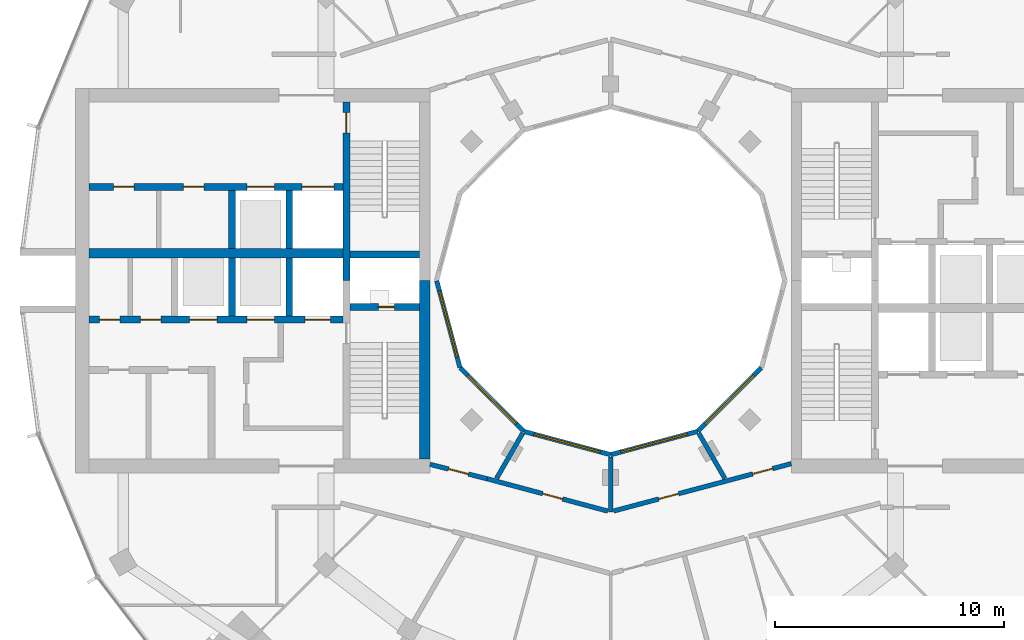
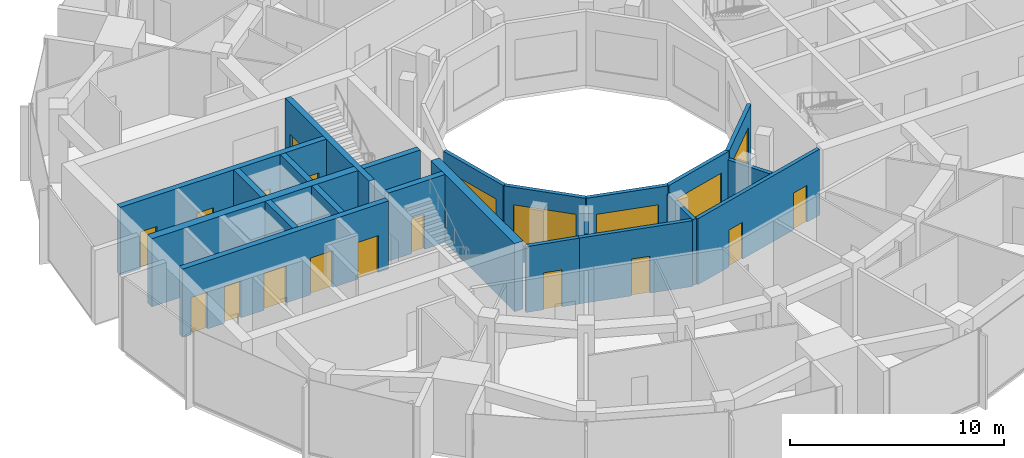
# One storey, part 9 of 15: 22 walls, 15 doors, 5 windows, 20 openings.
"""IFC4 building model written with IfcOpenShell, lengths in metres."""

from ifc_helpers import new_model, si_unit, direction, frame, frame_2d, origin, place, context, subcontext, project, spatial, rectangle, extrude, material, layer, layer_set, type_object, element, fill, save


model = new_model("IFC4")

# Units and contexts
model_context = context("Model", 3, precision=1e-05, world=origin(), true_north=direction((0.0, 1.0)))
body_context = subcontext(model_context, "Body", "Model", "MODEL_VIEW")
ifc_project = project(units=[si_unit("LENGTHUNIT", "METRE"), si_unit("AREAUNIT", "SQUARE_METRE"), si_unit("VOLUMEUNIT", "CUBIC_METRE"), si_unit("PLANEANGLEUNIT", "RADIAN"), si_unit("MASSUNIT", "GRAM", prefix="KILO")], contexts=[model_context])

# Site, building, storey
site_placement = place(None, origin())
site = spatial("IfcSite", under=ifc_project, at=site_placement, CompositionType="ELEMENT")
building_placement = place(site_placement, origin())
building = spatial("IfcBuilding", under=site, at=building_placement, Name="Torre Brocal", CompositionType="ELEMENT")
storey_placement = place(building_placement, frame((0.0, 0.0, 241.5)))
storey = spatial("IfcBuildingStorey", under=building, at=storey_placement, Name="L55", CompositionType="ELEMENT", Elevation=241.5)

# Wall, opening, door
ifc_material_1 = material(Name="Concrete C60", Category="concrete")
ifc_layer_1 = layer(ifc_material_1, 0.300048828125)
ifc_layer_set_1 = layer_set([ifc_layer_1], Name="Concrete C60")
wall_type_1 = type_object("IfcWallType", Name="CORE WALL 300 C60", PredefinedType="SHEAR", material=ifc_layer_set_1)
wall_1_placement = place(storey_placement, frame((68.449951171875, 82.800048828125, 0.0), z_axis=(0.0, 0.0, 1.0), x_axis=(0.0, -1.0, 0.0)))
wall_1 = element("IfcWall", 1, at=wall_1_placement, inside=storey, type_object=wall_type_1, Name="Wall CW300-60", PredefinedType="SHEAR", context=body_context, shape_type="SweptSolid", body=[
    extrude(rectangle(XDim=7.800048828125, YDim=0.300048828125, at=frame_2d((3.89990234375, 0.0))), origin(), (0.0, 0.0, 1.0), 3.8798828125),
])
opening_1_placement = place(wall_1_placement, frame((0.449951171875, 0.0, 0.0)))
opening_1 = element("IfcOpeningElement", 2, at=opening_1_placement, cuts=wall_1, Name="Opening W-D03", PredefinedType="OPENING", context=body_context, shape_type="SweptSolid", body=[
    extrude(rectangle(XDim=0.89990234375, YDim=2.10009765625, at=frame_2d((0.449951171875, 1.050048828125))), frame((0.0, 0.159912109375, 0.0), z_axis=(0.0, -1.0, 0.0), x_axis=(1.0, 0.0, 0.0)), (0.0, 0.0, 1.0), 0.320068359375),
])
ifc_material_2 = material(Name="Steel A653", Category="steel")
door_type_1 = type_object("IfcDoorType", Name="STAIR DOOR FD120 900X2100", OperationType="SINGLE_SWING_RIGHT", PredefinedType="DOOR", material=ifc_material_2)
door_1_placement = place(opening_1_placement, origin())
door_1 = element("IfcDoor", 3, at=door_1_placement, inside=storey, type_object=door_type_1, Name="Door W-D03", OperationType="SINGLE_SWING_LEFT", OverallHeight=2.10009765625, OverallWidth=0.89990234375, PredefinedType="DOOR", context=body_context, shape_type="SweptSolid", body=[
    extrude(rectangle(XDim=0.89990234375, YDim=2.10009765625, at=frame_2d((0.449951171875, 1.050048828125))), frame((0.0, 0.02490234375, 0.0), z_axis=(0.0, -1.0, 0.0), x_axis=(1.0, 0.0, 0.0)), (0.0, 0.0, 1.0), 0.050048828125),
])
fill(opening_1, door_1)

wall_2_placement = place(storey_placement, frame((71.64990234375, 73.85009765625, 0.0), z_axis=(0.0, 0.0, 1.0), x_axis=(-1.0, 0.0, 0.0)))
wall_2 = element("IfcWall", 4, at=wall_2_placement, inside=storey, type_object=wall_type_1, Name="Wall CW300-60", PredefinedType="SHEAR", context=body_context, shape_type="SweptSolid", body=[
    extrude(rectangle(XDim=3.0498046875, YDim=0.300048828125, at=frame_2d((1.52490234375, 0.0))), origin(), (0.0, 0.0, 1.0), 3.8798828125),
])
opening_2_placement = place(wall_2_placement, frame((1.10009765625, 0.0, 0.0)))
opening_2 = element("IfcOpeningElement", 5, at=opening_2_placement, cuts=wall_2, Name="Opening W-D01", PredefinedType="OPENING", context=body_context, shape_type="SweptSolid", body=[
    extrude(rectangle(XDim=0.699951171875, YDim=2.0, at=frame_2d((0.35009765625, 1.0))), frame((0.0, 0.159912109375, 0.0), z_axis=(0.0, -1.0, 0.0), x_axis=(1.0, 0.0, 0.0)), (0.0, 0.0, 1.0), 0.320068359375),
])
ifc_material_3 = material(Name="Steel A653", Category="steel")
door_type_2 = type_object("IfcDoorType", Name="RISER DOOR FD120 700X2000", OperationType="SINGLE_SWING_LEFT", PredefinedType="DOOR", material=ifc_material_3)
door_2_placement = place(opening_2_placement, frame((0.699951171875, 0.0, 0.0), z_axis=(0.0, 0.0, 1.0), x_axis=(-1.0, 0.0, 0.0)))
door_2 = element("IfcDoor", 6, at=door_2_placement, inside=storey, type_object=door_type_2, Name="Door W-D01", OperationType="SINGLE_SWING_RIGHT", OverallHeight=2.0, OverallWidth=0.699951171875, PredefinedType="DOOR", context=body_context, shape_type="SweptSolid", body=[
    extrude(rectangle(XDim=0.699951171875, YDim=2.0, at=frame_2d((0.35009765625, 1.0))), frame((0.0, 0.02490234375, 0.0), z_axis=(0.0, -1.0, 0.0), x_axis=(1.0, 0.0, 0.0)), (0.0, 0.0, 1.0), 0.050048828125),
])
fill(opening_2, door_2)

# Wall
wall_3_placement = place(storey_placement, frame((71.64990234375, 76.14990234375, 0.0), z_axis=(0.0, 0.0, 1.0), x_axis=(-1.0, 0.0, 0.0)))
element("IfcWall", 7, at=wall_3_placement, inside=storey, type_object=wall_type_1, Name="Wall CW300-60", PredefinedType="SHEAR", context=body_context, shape_type="SweptSolid", body=[
    extrude(rectangle(XDim=3.0498046875, YDim=0.300048828125, at=frame_2d((1.52490234375, 0.0))), origin(), (0.0, 0.0, 1.0), 3.8798828125),
])

# Wall, openings, doors
wall_4_placement = place(storey_placement, frame((68.300048828125, 73.300048828125, 0.0), z_axis=(0.0, 0.0, 1.0), x_axis=(-1.0, 0.0, 0.0)))
wall_4 = element("IfcWall", 8, at=wall_4_placement, inside=storey, type_object=wall_type_1, Name="Wall CW300-60", PredefinedType="SHEAR", context=body_context, shape_type="SweptSolid", body=[
    extrude(rectangle(XDim=11.10009765625, YDim=0.300048828125, at=frame_2d((5.550048828125, 0.0))), origin(), (0.0, 0.0, 1.0), 3.8798828125),
])
opening_3_placement = place(wall_4_placement, frame((0.550048828125, 0.0, 0.0)))
opening_3 = element("IfcOpeningElement", 9, at=opening_3_placement, cuts=wall_4, Name="Opening LD", PredefinedType="OPENING", context=body_context, shape_type="SweptSolid", body=[
    extrude(rectangle(XDim=1.10009765625, YDim=2.10009765625, at=frame_2d((0.550048828125, 1.050048828125))), frame((0.0, 0.159912109375, 0.0), z_axis=(0.0, -1.0, 0.0), x_axis=(1.0, 0.0, 0.0)), (0.0, 0.0, 1.0), 0.320068359375),
])
opening_4_placement = place(wall_4_placement, frame((3.0, 0.0, 0.0)))
opening_4 = element("IfcOpeningElement", 10, at=opening_4_placement, cuts=wall_4, Name="Opening LD12", PredefinedType="OPENING", context=body_context, shape_type="SweptSolid", body=[
    extrude(rectangle(XDim=1.199951171875, YDim=2.10009765625, at=frame_2d((0.60009765625, 1.050048828125))), frame((0.0, 0.159912109375, 0.0), z_axis=(0.0, -1.0, 0.0), x_axis=(1.0, 0.0, 0.0)), (0.0, 0.0, 1.0), 0.320068359375),
])
opening_5_placement = place(wall_4_placement, frame((5.5, 0.0, 0.0)))
opening_5 = element("IfcOpeningElement", 11, at=opening_5_placement, cuts=wall_4, Name="Opening LD12", PredefinedType="OPENING", context=body_context, shape_type="SweptSolid", body=[
    extrude(rectangle(XDim=1.199951171875, YDim=2.10009765625, at=frame_2d((0.60009765625, 1.050048828125))), frame((0.0, 0.159912109375, 0.0), z_axis=(0.0, -1.0, 0.0), x_axis=(1.0, 0.0, 0.0)), (0.0, 0.0, 1.0), 0.320068359375),
])
opening_6_placement = place(wall_4_placement, frame((7.949951171875, 0.0, 0.0)))
opening_6 = element("IfcOpeningElement", 12, at=opening_6_placement, cuts=wall_4, Name="Opening W-D04", PredefinedType="OPENING", context=body_context, shape_type="SweptSolid", body=[
    extrude(rectangle(XDim=0.89990234375, YDim=2.10009765625, at=frame_2d((0.449951171875, 1.050048828125))), frame((0.0, 0.159912109375, 0.0), z_axis=(0.0, -1.0, 0.0), x_axis=(1.0, 0.0, 0.0)), (0.0, 0.0, 1.0), 0.320068359375),
])
opening_7_placement = place(wall_4_placement, frame((9.75, 0.0, 0.0)))
opening_7 = element("IfcOpeningElement", 13, at=opening_7_placement, cuts=wall_4, Name="Opening W-D05", PredefinedType="OPENING", context=body_context, shape_type="SweptSolid", body=[
    extrude(rectangle(XDim=0.89990234375, YDim=2.10009765625, at=frame_2d((0.449951171875, 1.050048828125))), frame((0.0, 0.159912109375, 0.0), z_axis=(0.0, -1.0, 0.0), x_axis=(1.0, 0.0, 0.0)), (0.0, 0.0, 1.0), 0.320068359375),
])
ifc_material_4 = material(Name="Stainless steel AISI 316", Category="steel")
door_type_3 = type_object("IfcDoorType", Name="LIFT LANDING DOOR 1100X2100", OperationType="DOUBLE_DOOR_SLIDING", PredefinedType="DOOR", material=ifc_material_4)
door_3_placement = place(opening_3_placement, origin())
door_3 = element("IfcDoor", 14, at=door_3_placement, inside=storey, type_object=door_type_3, Name="Door LD", OperationType="DOUBLE_DOOR_SLIDING", OverallHeight=2.10009765625, OverallWidth=1.10009765625, PredefinedType="DOOR", context=body_context, shape_type="SweptSolid", body=[
    extrude(rectangle(XDim=1.10009765625, YDim=2.10009765625, at=frame_2d((0.550048828125, 1.050048828125))), frame((0.0, 0.02490234375, 0.0), z_axis=(0.0, -1.0, 0.0), x_axis=(1.0, 0.0, 0.0)), (0.0, 0.0, 1.0), 0.050048828125),
])
fill(opening_3, door_3)
ifc_material_5 = material(Name="Stainless steel AISI 316", Category="steel")
door_type_4 = type_object("IfcDoorType", Name="LIFT LANDING DOOR 1200X2100", OperationType="DOUBLE_DOOR_SLIDING", PredefinedType="DOOR", material=ifc_material_5)
door_4_placement = place(opening_4_placement, origin())
door_4 = element("IfcDoor", 15, at=door_4_placement, inside=storey, type_object=door_type_4, Name="Door LD12", OperationType="DOUBLE_DOOR_SLIDING", OverallHeight=2.10009765625, OverallWidth=1.199951171875, PredefinedType="DOOR", context=body_context, shape_type="SweptSolid", body=[
    extrude(rectangle(XDim=1.199951171875, YDim=2.10009765625, at=frame_2d((0.60009765625, 1.050048828125))), frame((0.0, 0.02490234375, 0.0), z_axis=(0.0, -1.0, 0.0), x_axis=(1.0, 0.0, 0.0)), (0.0, 0.0, 1.0), 0.050048828125),
])
fill(opening_4, door_4)
door_5_placement = place(opening_5_placement, origin())
door_5 = element("IfcDoor", 16, at=door_5_placement, inside=storey, type_object=door_type_4, Name="Door LD12", OperationType="DOUBLE_DOOR_SLIDING", OverallHeight=2.10009765625, OverallWidth=1.199951171875, PredefinedType="DOOR", context=body_context, shape_type="SweptSolid", body=[
    extrude(rectangle(XDim=1.199951171875, YDim=2.10009765625, at=frame_2d((0.60009765625, 1.050048828125))), frame((0.0, 0.02490234375, 0.0), z_axis=(0.0, -1.0, 0.0), x_axis=(1.0, 0.0, 0.0)), (0.0, 0.0, 1.0), 0.050048828125),
])
fill(opening_5, door_5)
ifc_material_6 = material(Name="Steel A653", Category="steel")
door_type_5 = type_object("IfcDoorType", Name="ROOM DOOR FD30S 900X2100", OperationType="SINGLE_SWING_LEFT", PredefinedType="DOOR", material=ifc_material_6)
door_6_placement = place(opening_6_placement, frame((0.89990234375, 0.0, 0.0), z_axis=(0.0, 0.0, 1.0), x_axis=(-1.0, 0.0, 0.0)))
door_6 = element("IfcDoor", 17, at=door_6_placement, inside=storey, type_object=door_type_5, Name="Door W-D04", OperationType="SINGLE_SWING_LEFT", OverallHeight=2.10009765625, OverallWidth=0.89990234375, PredefinedType="DOOR", context=body_context, shape_type="SweptSolid", body=[
    extrude(rectangle(XDim=0.89990234375, YDim=2.10009765625, at=frame_2d((0.449951171875, 1.050048828125))), frame((0.0, 0.02490234375, 0.0), z_axis=(0.0, -1.0, 0.0), x_axis=(1.0, 0.0, 0.0)), (0.0, 0.0, 1.0), 0.050048828125),
])
fill(opening_6, door_6)
door_7_placement = place(opening_7_placement, frame((0.89990234375, 0.0, 0.0), z_axis=(0.0, 0.0, 1.0), x_axis=(-1.0, 0.0, 0.0)))
door_7 = element("IfcDoor", 18, at=door_7_placement, inside=storey, type_object=door_type_5, Name="Door W-D05", OperationType="SINGLE_SWING_RIGHT", OverallHeight=2.10009765625, OverallWidth=0.89990234375, PredefinedType="DOOR", context=body_context, shape_type="SweptSolid", body=[
    extrude(rectangle(XDim=0.89990234375, YDim=2.10009765625, at=frame_2d((0.449951171875, 1.050048828125))), frame((0.0, 0.02490234375, 0.0), z_axis=(0.0, -1.0, 0.0), x_axis=(1.0, 0.0, 0.0)), (0.0, 0.0, 1.0), 0.050048828125),
])
fill(opening_7, door_7)

wall_5_placement = place(storey_placement, frame((68.300048828125, 79.10009765625, 0.0), z_axis=(0.0, 0.0, 1.0), x_axis=(-1.0, 0.0, 0.0)))
wall_5 = element("IfcWall", 19, at=wall_5_placement, inside=storey, type_object=wall_type_1, Name="Wall CW300-60", PredefinedType="SHEAR", context=body_context, shape_type="SweptSolid", body=[
    extrude(rectangle(XDim=11.10009765625, YDim=0.300048828125, at=frame_2d((5.550048828125, 0.0))), origin(), (0.0, 0.0, 1.0), 3.8798828125),
])
opening_8_placement = place(wall_5_placement, frame((0.39990234375, 0.0, 0.0)))
opening_8 = element("IfcOpeningElement", 20, at=opening_8_placement, cuts=wall_5, Name="Opening LD14", PredefinedType="OPENING", context=body_context, shape_type="SweptSolid", body=[
    extrude(rectangle(XDim=1.39990234375, YDim=2.10009765625, at=frame_2d((0.699951171875, 1.050048828125))), frame((0.0, 0.159912109375, 0.0), z_axis=(0.0, -1.0, 0.0), x_axis=(1.0, 0.0, 0.0)), (0.0, 0.0, 1.0), 0.320068359375),
])
opening_9_placement = place(wall_5_placement, frame((3.0, 0.0, 0.0)))
opening_9 = element("IfcOpeningElement", 21, at=opening_9_placement, cuts=wall_5, Name="Opening LD12", PredefinedType="OPENING", context=body_context, shape_type="SweptSolid", body=[
    extrude(rectangle(XDim=1.199951171875, YDim=2.10009765625, at=frame_2d((0.60009765625, 1.050048828125))), frame((0.0, 0.159912109375, 0.0), z_axis=(0.0, -1.0, 0.0), x_axis=(1.0, 0.0, 0.0)), (0.0, 0.0, 1.0), 0.320068359375),
])
opening_10_placement = place(wall_5_placement, frame((6.074951171875, 0.0, 0.0)))
opening_10 = element("IfcOpeningElement", 22, at=opening_10_placement, cuts=wall_5, Name="Opening W-D06", PredefinedType="OPENING", context=body_context, shape_type="SweptSolid", body=[
    extrude(rectangle(XDim=0.89990234375, YDim=2.10009765625, at=frame_2d((0.449951171875, 1.050048828125))), frame((0.0, 0.159912109375, 0.0), z_axis=(0.0, -1.0, 0.0), x_axis=(1.0, 0.0, 0.0)), (0.0, 0.0, 1.0), 0.320068359375),
])
opening_11_placement = place(wall_5_placement, frame((9.125, 0.0, 0.0)))
opening_11 = element("IfcOpeningElement", 23, at=opening_11_placement, cuts=wall_5, Name="Opening W-D07", PredefinedType="OPENING", context=body_context, shape_type="SweptSolid", body=[
    extrude(rectangle(XDim=0.89990234375, YDim=2.10009765625, at=frame_2d((0.449951171875, 1.050048828125))), frame((0.0, 0.159912109375, 0.0), z_axis=(0.0, -1.0, 0.0), x_axis=(1.0, 0.0, 0.0)), (0.0, 0.0, 1.0), 0.320068359375),
])
door_8_placement = place(opening_9_placement, origin())
door_8 = element("IfcDoor", 24, at=door_8_placement, inside=storey, type_object=door_type_4, Name="Door LD12", OperationType="DOUBLE_DOOR_SLIDING", OverallHeight=2.10009765625, OverallWidth=1.199951171875, PredefinedType="DOOR", context=body_context, shape_type="SweptSolid", body=[
    extrude(rectangle(XDim=1.199951171875, YDim=2.10009765625, at=frame_2d((0.60009765625, 1.050048828125))), frame((0.0, 0.02490234375, 0.0), z_axis=(0.0, -1.0, 0.0), x_axis=(1.0, 0.0, 0.0)), (0.0, 0.0, 1.0), 0.050048828125),
])
fill(opening_9, door_8)
ifc_material_7 = material(Name="Stainless steel AISI 316", Category="steel")
door_type_6 = type_object("IfcDoorType", Name="LIFT LANDING DOOR 1400X2100", OperationType="DOUBLE_DOOR_SLIDING", PredefinedType="DOOR", material=ifc_material_7)
door_9_placement = place(opening_8_placement, origin())
door_9 = element("IfcDoor", 25, at=door_9_placement, inside=storey, type_object=door_type_6, Name="Door LD14", OperationType="DOUBLE_DOOR_SLIDING", OverallHeight=2.10009765625, OverallWidth=1.39990234375, PredefinedType="DOOR", context=body_context, shape_type="SweptSolid", body=[
    extrude(rectangle(XDim=1.39990234375, YDim=2.10009765625, at=frame_2d((0.699951171875, 1.050048828125))), frame((0.0, 0.02490234375, 0.0), z_axis=(0.0, -1.0, 0.0), x_axis=(1.0, 0.0, 0.0)), (0.0, 0.0, 1.0), 0.050048828125),
])
fill(opening_8, door_9)
door_10_placement = place(opening_10_placement, origin())
door_10 = element("IfcDoor", 26, at=door_10_placement, inside=storey, type_object=door_type_5, Name="Door W-D06", OperationType="SINGLE_SWING_RIGHT", OverallHeight=2.10009765625, OverallWidth=0.89990234375, PredefinedType="DOOR", context=body_context, shape_type="SweptSolid", body=[
    extrude(rectangle(XDim=0.89990234375, YDim=2.10009765625, at=frame_2d((0.449951171875, 1.050048828125))), frame((0.0, 0.02490234375, 0.0), z_axis=(0.0, -1.0, 0.0), x_axis=(1.0, 0.0, 0.0)), (0.0, 0.0, 1.0), 0.050048828125),
])
fill(opening_10, door_10)
door_11_placement = place(opening_11_placement, origin())
door_11 = element("IfcDoor", 27, at=door_11_placement, inside=storey, type_object=door_type_5, Name="Door W-D07", OperationType="SINGLE_SWING_LEFT", OverallHeight=2.10009765625, OverallWidth=0.89990234375, PredefinedType="DOOR", context=body_context, shape_type="SweptSolid", body=[
    extrude(rectangle(XDim=0.89990234375, YDim=2.10009765625, at=frame_2d((0.449951171875, 1.050048828125))), frame((0.0, 0.02490234375, 0.0), z_axis=(0.0, -1.0, 0.0), x_axis=(1.0, 0.0, 0.0)), (0.0, 0.0, 1.0), 0.050048828125),
])
fill(opening_11, door_11)

# Walls
for number, where, z_axis, x_axis, name in (
    (28, (65.949951171875, 76.0, 0.0), (0.0, 0.0, 1.0), (0.0, -1.0, 0.0), "Wall CW300-60"),
    (29, (63.449951171875, 76.0, 0.0), (0.0, 0.0, 1.0), (0.0, -1.0, 0.0), "Wall CW300-60"),
    (30, (65.949951171875, 78.949951171875, 0.0), (0.0, 0.0, 1.0), (0.0, -1.0, 0.0), "Wall CW300-60"),
    (31, (63.449951171875, 78.949951171875, 0.0), (0.0, 0.0, 1.0), (0.0, -1.0, 0.0), "Wall CW300-60"),
):
    element("IfcWall", number, at=place(storey_placement, frame(where, z_axis=z_axis, x_axis=x_axis)), inside=storey, type_object=wall_type_1, Name=name, PredefinedType="SHEAR", context=body_context, shape_type="SweptSolid", body=[
        extrude(rectangle(XDim=2.550048828125, YDim=0.300048828125, at=frame_2d((1.27490234375, 0.0))), origin(), (0.0, 0.0, 1.0), 3.8798828125),
    ])
ifc_material_8 = material(Name="Concrete C60", Category="concrete")
ifc_layer_2 = layer(ifc_material_8, 0.39990234375)
ifc_layer_set_2 = layer_set([ifc_layer_2], Name="Concrete C60")
wall_type_2 = type_object("IfcWallType", Name="CORE WALL 400 C60", PredefinedType="SHEAR", material=ifc_layer_set_2)
wall_6_placement = place(storey_placement, frame((68.300048828125, 76.199951171875, 0.0), z_axis=(0.0, 0.0, 1.0), x_axis=(-1.0, 0.0, 0.0)))
element("IfcWall", 32, at=wall_6_placement, inside=storey, type_object=wall_type_2, Name="Wall CW400-60", PredefinedType="SHEAR", context=body_context, shape_type="SweptSolid", body=[
    extrude(rectangle(XDim=11.10009765625, YDim=0.39990234375, at=frame_2d((5.550048828125, 0.0))), origin(), (0.0, 0.0, 1.0), 3.8798828125),
])
ifc_material_9 = material(Name="Concrete C60", Category="concrete")
ifc_layer_3 = layer(ifc_material_9, 0.449951171875)
ifc_layer_set_3 = layer_set([ifc_layer_3], Name="Concrete C60")
wall_type_3 = type_object("IfcWallType", Name="CORE WALL 450 C60", PredefinedType="SHEAR", material=ifc_layer_set_3)
wall_7_placement = place(storey_placement, frame((71.875, 75.0, 0.0), z_axis=(0.0, 0.0, 1.0), x_axis=(0.0, -1.0, 0.0)))
element("IfcWall", 33, at=wall_7_placement, inside=storey, type_object=wall_type_3, Name="Wall CW450-60", PredefinedType="SHEAR", context=body_context, shape_type="SweptSolid", body=[
    extrude(rectangle(XDim=7.800048828125, YDim=0.449951171875, at=frame_2d((3.89990234375, 0.0))), origin(), (0.0, 0.0, 1.0), 3.8798828125),
])

# Wall, opening, door
ifc_material_10 = material(Name="Gypsum board", Category="Gypsum")
ifc_layer_4 = layer(ifc_material_10, 0.199951171875)
ifc_layer_set_4 = layer_set([ifc_layer_4], Name="Gypsum board")
wall_type_4 = type_object("IfcWallType", Name="PARTITION 200 EI60", PredefinedType="PARTITIONING", material=ifc_layer_set_4)
wall_8_placement = place(storey_placement, frame((72.10009765625, 66.97509765625, 0.0), z_axis=(0.0, 0.0, 1.0), x_axis=(0.969471314457, -0.245204752086, 0.0)))
wall_8 = element("IfcWall", 34, at=wall_8_placement, inside=storey, type_object=wall_type_4, Name="CORRIDOR WALL", PredefinedType="PARTITIONING", context=body_context, shape_type="SweptSolid", body=[
    extrude(rectangle(XDim=2.581787109375, YDim=0.199951171875, at=frame_2d((1.291015625, 0.0))), origin(), (0.0, 0.0, 1.0), 3.75),
])
opening_12_placement = place(wall_8_placement, frame((0.8408203125, 0.0, 0.0)))
opening_12 = element("IfcOpeningElement", 35, at=opening_12_placement, cuts=wall_8, Name="Opening B03-D39", PredefinedType="OPENING", context=body_context, shape_type="SweptSolid", body=[
    extrude(rectangle(XDim=0.89990234375, YDim=2.10009765625, at=frame_2d((0.449951171875, 1.050048828125))), frame((0.0, 0.10986328125, 0.0), z_axis=(0.0, -1.0, 0.0), x_axis=(1.0, 0.0, 0.0)), (0.0, 0.0, 1.0), 0.219970703125),
])
ifc_material_11 = material(Name="Timber", Category="wood")
door_type_7 = type_object("IfcDoorType", Name="ROOM DOOR 900X2100", OperationType="SINGLE_SWING_LEFT", PredefinedType="DOOR", material=ifc_material_11)
door_12_placement = place(opening_12_placement, origin())
door_12 = element("IfcDoor", 36, at=door_12_placement, inside=storey, type_object=door_type_7, Name="B03-D39", OperationType="SINGLE_SWING_LEFT", OverallHeight=2.10009765625, OverallWidth=0.89990234375, PredefinedType="DOOR", context=body_context, shape_type="SweptSolid", body=[
    extrude(rectangle(XDim=0.89990234375, YDim=2.10009765625, at=frame_2d((0.449951171875, 1.050048828125))), frame((0.0, 0.02490234375, 0.0), z_axis=(0.0, -1.0, 0.0), x_axis=(1.0, 0.0, 0.0)), (0.0, 0.0, 1.0), 0.050048828125),
])
fill(opening_12, door_12)

wall_9_placement = place(storey_placement, frame((74.60302734375, 66.342041015625, 0.0), z_axis=(0.0, 0.0, 1.0), x_axis=(0.965920893652, -0.258837453254, 0.0)))
wall_9 = element("IfcWall", 37, at=wall_9_placement, inside=storey, type_object=wall_type_4, Name="CORRIDOR WALL", PredefinedType="PARTITIONING", context=body_context, shape_type="SweptSolid", body=[
    extrude(rectangle(XDim=5.45751953125, YDim=0.199951171875, at=frame_2d((2.728759765625, 0.0))), origin(), (0.0, 0.0, 1.0), 3.75),
])
opening_13_placement = place(wall_9_placement, frame((2.512451171875, 0.0, 0.0)))
opening_13 = element("IfcOpeningElement", 38, at=opening_13_placement, cuts=wall_9, Name="Opening B03-D38", PredefinedType="OPENING", context=body_context, shape_type="SweptSolid", body=[
    extrude(rectangle(XDim=0.89990234375, YDim=2.10009765625, at=frame_2d((0.449951171875, 1.050048828125))), frame((0.0, 0.10986328125, 0.0), z_axis=(0.0, -1.0, 0.0), x_axis=(1.0, 0.0, 0.0)), (0.0, 0.0, 1.0), 0.219970703125),
])
door_13_placement = place(opening_13_placement, origin())
door_13 = element("IfcDoor", 39, at=door_13_placement, inside=storey, type_object=door_type_7, Name="B03-D38", OperationType="SINGLE_SWING_LEFT", OverallHeight=2.10009765625, OverallWidth=0.89990234375, PredefinedType="DOOR", context=body_context, shape_type="SweptSolid", body=[
    extrude(rectangle(XDim=0.89990234375, YDim=2.10009765625, at=frame_2d((0.449951171875, 1.050048828125))), frame((0.0, 0.02490234375, 0.0), z_axis=(0.0, -1.0, 0.0), x_axis=(1.0, 0.0, 0.0)), (0.0, 0.0, 1.0), 0.050048828125),
])
fill(opening_13, door_13)

# Wall
wall_10_placement = place(storey_placement, frame((75.013916015625, 66.362060546875, 0.0), z_axis=(0.0, 0.0, 1.0), x_axis=(0.500097042406, 0.865969369075, 0.0)))
element("IfcWall", 40, at=wall_10_placement, inside=storey, type_object=wall_type_4, Name="SERVICE ROOM WALL", PredefinedType="PARTITIONING", context=body_context, shape_type="SweptSolid", body=[
    extrude(rectangle(XDim=2.275390625, YDim=0.199951171875, at=frame_2d((1.1376953125, 0.0))), origin(), (0.0, 0.0, 1.0), 3.75),
])

# Wall, openings, doors
wall_11_placement = place(storey_placement, frame((80.125, 64.931640625, 0.0), z_axis=(0.0, 0.0, 1.0), x_axis=(0.966236955806, 0.257655089674, 0.0)))
wall_11 = element("IfcWall", 41, at=wall_11_placement, inside=storey, type_object=wall_type_4, Name="CORRIDOR WALL", PredefinedType="PARTITIONING", context=body_context, shape_type="SweptSolid", body=[
    extrude(rectangle(XDim=8.0390625, YDim=0.199951171875, at=frame_2d((4.01953125, 0.0))), origin(), (0.0, 0.0, 1.0), 3.75),
])
opening_14_placement = place(wall_11_placement, frame((6.298095703125, 0.0, 0.0)))
opening_14 = element("IfcOpeningElement", 42, at=opening_14_placement, cuts=wall_11, Name="Opening B03-D36", PredefinedType="OPENING", context=body_context, shape_type="SweptSolid", body=[
    extrude(rectangle(XDim=0.89990234375, YDim=2.10009765625, at=frame_2d((0.449951171875, 1.050048828125))), frame((0.0, 0.10986328125, 0.0), z_axis=(0.0, -1.0, 0.0), x_axis=(1.0, 0.0, 0.0)), (0.0, 0.0, 1.0), 0.219970703125),
])
opening_15_placement = place(wall_11_placement, frame((2.044921875, 0.0, 0.0)))
opening_15 = element("IfcOpeningElement", 43, at=opening_15_placement, cuts=wall_11, Name="Opening B03-D37", PredefinedType="OPENING", context=body_context, shape_type="SweptSolid", body=[
    extrude(rectangle(XDim=0.89990234375, YDim=2.10009765625, at=frame_2d((0.449951171875, 1.050048828125))), frame((0.0, 0.10986328125, 0.0), z_axis=(0.0, -1.0, 0.0), x_axis=(1.0, 0.0, 0.0)), (0.0, 0.0, 1.0), 0.219970703125),
])
door_14_placement = place(opening_14_placement, origin())
door_14 = element("IfcDoor", 44, at=door_14_placement, inside=storey, type_object=door_type_7, Name="B03-D36", OperationType="SINGLE_SWING_RIGHT", OverallHeight=2.10009765625, OverallWidth=0.89990234375, PredefinedType="DOOR", context=body_context, shape_type="SweptSolid", body=[
    extrude(rectangle(XDim=0.89990234375, YDim=2.10009765625, at=frame_2d((0.449951171875, 1.050048828125))), frame((0.0, 0.02490234375, 0.0), z_axis=(0.0, -1.0, 0.0), x_axis=(1.0, 0.0, 0.0)), (0.0, 0.0, 1.0), 0.050048828125),
])
fill(opening_14, door_14)
door_15_placement = place(opening_15_placement, origin())
door_15 = element("IfcDoor", 45, at=door_15_placement, inside=storey, type_object=door_type_7, Name="B03-D37", OperationType="SINGLE_SWING_RIGHT", OverallHeight=2.10009765625, OverallWidth=0.89990234375, PredefinedType="DOOR", context=body_context, shape_type="SweptSolid", body=[
    extrude(rectangle(XDim=0.89990234375, YDim=2.10009765625, at=frame_2d((0.449951171875, 1.050048828125))), frame((0.0, 0.02490234375, 0.0), z_axis=(0.0, -1.0, 0.0), x_axis=(1.0, 0.0, 0.0)), (0.0, 0.0, 1.0), 0.050048828125),
])
fill(opening_15, door_15)

# Walls
wall_12_placement = place(storey_placement, frame((80.0, 64.89599609375, 0.0), z_axis=(0.0, 0.0, 1.0), x_axis=(0.0, 1.0, 0.0)))
element("IfcWall", 46, at=wall_12_placement, inside=storey, type_object=wall_type_4, Name="SERVICE ROOM WALL", PredefinedType="PARTITIONING", context=body_context, shape_type="SweptSolid", body=[
    extrude(rectangle(XDim=2.405029296875, YDim=0.199951171875, at=frame_2d((1.20263671875, 0.0))), origin(), (0.0, 0.0, 1.0), 3.75),
])
wall_13_placement = place(storey_placement, frame((83.849609375, 68.333251953125, 0.0), z_axis=(0.0, 0.0, 1.0), x_axis=(0.500080019051, -0.865979199835, 0.0)))
element("IfcWall", 47, at=wall_13_placement, inside=storey, type_object=wall_type_4, Name="PARTY PARTITION", PredefinedType="PARTITIONING", context=body_context, shape_type="SweptSolid", body=[
    extrude(rectangle(XDim=2.285400390625, YDim=0.199951171875, at=frame_2d((1.142578125, 0.0))), origin(), (0.0, 0.0, 1.0), 3.75),
])

# Wall, opening, window
ifc_material_12 = material(Name="Concrete C40", Category="concrete")
ifc_layer_5 = layer(ifc_material_12, 0.199951171875)
ifc_layer_set_5 = layer_set([ifc_layer_5], Name="Concrete C40")
wall_type_5 = type_object("IfcWallType", Name="WELL FACADE WALL 200", PredefinedType="NOTDEFINED", material=ifc_layer_set_5)
wall_14_placement = place(storey_placement, frame((72.396484375, 75.0, 0.0), z_axis=(0.0, 0.0, 1.0), x_axis=(0.258789828301, -0.965933654434, 0.0)))
wall_14 = element("IfcWall", 48, at=wall_14_placement, inside=storey, type_object=wall_type_5, Name="WELL FACADE WALL", PredefinedType="NOTDEFINED", context=body_context, shape_type="SweptSolid", body=[
    extrude(rectangle(XDim=3.935791015625, YDim=0.199951171875, at=frame_2d((1.9677734375, 0.0))), origin(), (0.0, 0.0, 1.0), 4.199951171875),
])
opening_16_placement = place(wall_14_placement, frame((0.468017578125, 0.0, 0.89990234375)))
opening_16 = element("IfcOpeningElement", 49, at=opening_16_placement, cuts=wall_14, Name="Opening W1", PredefinedType="OPENING", context=body_context, shape_type="SweptSolid", body=[
    extrude(rectangle(XDim=3.0, YDim=2.300048828125, at=frame_2d((1.5, 1.14990234375))), frame((0.0, 0.10986328125, 0.0), z_axis=(0.0, -1.0, 0.0), x_axis=(1.0, 0.0, 0.0)), (0.0, 0.0, 1.0), 0.219970703125),
])
ifc_material_13 = material(Name="Aluminium and glass", Category="aluminium")
window_type = type_object("IfcWindowType", Name="WELL WINDOW 3000X2300", PartitioningType="SINGLE_PANEL", PredefinedType="WINDOW", material=ifc_material_13)
window_1_placement = place(opening_16_placement, origin())
window_1 = element("IfcWindow", 50, at=window_1_placement, inside=storey, type_object=window_type, Name="WELL WINDOW 3000X2300", OverallHeight=2.300048828125, OverallWidth=3.0, PartitioningType="SINGLE_PANEL", PredefinedType="WINDOW", context=body_context, shape_type="SweptSolid", body=[
    extrude(rectangle(XDim=3.0, YDim=2.300048828125, at=frame_2d((1.5, 1.14990234375))), frame((0.0, 0.030029296875, 0.0), z_axis=(0.0, -1.0, 0.0), x_axis=(1.0, 0.0, 0.0)), (0.0, 0.0, 1.0), 0.06005859375),
])
fill(opening_16, window_1)

wall_15_placement = place(storey_placement, frame((73.4150390625, 71.1982421875, 0.0), z_axis=(0.0, 0.0, 1.0), x_axis=(0.707106781187, -0.707106781187, 0.0)))
wall_15 = element("IfcWall", 51, at=wall_15_placement, inside=storey, type_object=wall_type_5, Name="WELL FACADE WALL", PredefinedType="NOTDEFINED", context=body_context, shape_type="SweptSolid", body=[
    extrude(rectangle(XDim=3.93603515625, YDim=0.199951171875, at=frame_2d((1.968017578125, 0.0))), origin(), (0.0, 0.0, 1.0), 4.199951171875),
])
opening_17_placement = place(wall_15_placement, frame((0.468017578125, 0.0, 0.89990234375)))
opening_17 = element("IfcOpeningElement", 52, at=opening_17_placement, cuts=wall_15, Name="Opening W1", PredefinedType="OPENING", context=body_context, shape_type="SweptSolid", body=[
    extrude(rectangle(XDim=3.0, YDim=2.300048828125, at=frame_2d((1.5, 1.14990234375))), frame((0.0, 0.10986328125, 0.0), z_axis=(0.0, -1.0, 0.0), x_axis=(1.0, 0.0, 0.0)), (0.0, 0.0, 1.0), 0.219970703125),
])
window_2_placement = place(opening_17_placement, origin())
window_2 = element("IfcWindow", 53, at=window_2_placement, inside=storey, type_object=window_type, Name="WELL WINDOW 3000X2300", OverallHeight=2.300048828125, OverallWidth=3.0, PartitioningType="SINGLE_PANEL", PredefinedType="WINDOW", context=body_context, shape_type="SweptSolid", body=[
    extrude(rectangle(XDim=3.0, YDim=2.300048828125, at=frame_2d((1.5, 1.14990234375))), frame((0.0, 0.030029296875, 0.0), z_axis=(0.0, -1.0, 0.0), x_axis=(1.0, 0.0, 0.0)), (0.0, 0.0, 1.0), 0.06005859375),
])
fill(opening_17, window_2)

wall_16_placement = place(storey_placement, frame((76.1982421875, 68.4150390625, 0.0), z_axis=(0.0, 0.0, 1.0), x_axis=(0.965933654434, -0.258789828301, 0.0)))
wall_16 = element("IfcWall", 54, at=wall_16_placement, inside=storey, type_object=wall_type_5, Name="WELL FACADE WALL", PredefinedType="NOTDEFINED", context=body_context, shape_type="SweptSolid", body=[
    extrude(rectangle(XDim=3.935791015625, YDim=0.199951171875, at=frame_2d((1.9677734375, 0.0))), origin(), (0.0, 0.0, 1.0), 4.199951171875),
])
opening_18_placement = place(wall_16_placement, frame((0.468017578125, 0.0, 0.89990234375)))
opening_18 = element("IfcOpeningElement", 55, at=opening_18_placement, cuts=wall_16, Name="Opening W1", PredefinedType="OPENING", context=body_context, shape_type="SweptSolid", body=[
    extrude(rectangle(XDim=3.0, YDim=2.300048828125, at=frame_2d((1.5, 1.14990234375))), frame((0.0, 0.10986328125, 0.0), z_axis=(0.0, -1.0, 0.0), x_axis=(1.0, 0.0, 0.0)), (0.0, 0.0, 1.0), 0.219970703125),
])
window_3_placement = place(opening_18_placement, origin())
window_3 = element("IfcWindow", 56, at=window_3_placement, inside=storey, type_object=window_type, Name="WELL WINDOW 3000X2300", OverallHeight=2.300048828125, OverallWidth=3.0, PartitioningType="SINGLE_PANEL", PredefinedType="WINDOW", context=body_context, shape_type="SweptSolid", body=[
    extrude(rectangle(XDim=3.0, YDim=2.300048828125, at=frame_2d((1.5, 1.14990234375))), frame((0.0, 0.030029296875, 0.0), z_axis=(0.0, -1.0, 0.0), x_axis=(1.0, 0.0, 0.0)), (0.0, 0.0, 1.0), 0.06005859375),
])
fill(opening_18, window_3)

wall_17_placement = place(storey_placement, frame((80.0, 67.396484375, 0.0), z_axis=(0.0, 0.0, 1.0), x_axis=(0.965933654434, 0.258789828301, 0.0)))
wall_17 = element("IfcWall", 57, at=wall_17_placement, inside=storey, type_object=wall_type_5, Name="WELL FACADE WALL", PredefinedType="NOTDEFINED", context=body_context, shape_type="SweptSolid", body=[
    extrude(rectangle(XDim=3.935791015625, YDim=0.199951171875, at=frame_2d((1.9677734375, 0.0))), origin(), (0.0, 0.0, 1.0), 4.199951171875),
])
opening_19_placement = place(wall_17_placement, frame((0.468017578125, 0.0, 0.89990234375)))
opening_19 = element("IfcOpeningElement", 58, at=opening_19_placement, cuts=wall_17, Name="Opening W1", PredefinedType="OPENING", context=body_context, shape_type="SweptSolid", body=[
    extrude(rectangle(XDim=3.0, YDim=2.300048828125, at=frame_2d((1.5, 1.14990234375))), frame((0.0, 0.10986328125, 0.0), z_axis=(0.0, -1.0, 0.0), x_axis=(1.0, 0.0, 0.0)), (0.0, 0.0, 1.0), 0.219970703125),
])
window_4_placement = place(opening_19_placement, origin())
window_4 = element("IfcWindow", 59, at=window_4_placement, inside=storey, type_object=window_type, Name="WELL WINDOW 3000X2300", OverallHeight=2.300048828125, OverallWidth=3.0, PartitioningType="SINGLE_PANEL", PredefinedType="WINDOW", context=body_context, shape_type="SweptSolid", body=[
    extrude(rectangle(XDim=3.0, YDim=2.300048828125, at=frame_2d((1.5, 1.14990234375))), frame((0.0, 0.030029296875, 0.0), z_axis=(0.0, -1.0, 0.0), x_axis=(1.0, 0.0, 0.0)), (0.0, 0.0, 1.0), 0.06005859375),
])
fill(opening_19, window_4)

wall_18_placement = place(storey_placement, frame((83.8017578125, 68.4150390625, 0.0), z_axis=(0.0, 0.0, 1.0), x_axis=(0.707106781187, 0.707106781187, 0.0)))
wall_18 = element("IfcWall", 60, at=wall_18_placement, inside=storey, type_object=wall_type_5, Name="WELL FACADE WALL", PredefinedType="NOTDEFINED", context=body_context, shape_type="SweptSolid", body=[
    extrude(rectangle(XDim=3.93603515625, YDim=0.199951171875, at=frame_2d((1.968017578125, 0.0))), origin(), (0.0, 0.0, 1.0), 4.199951171875),
])
opening_20_placement = place(wall_18_placement, frame((0.468017578125, 0.0, 0.89990234375)))
opening_20 = element("IfcOpeningElement", 61, at=opening_20_placement, cuts=wall_18, Name="Opening W1", PredefinedType="OPENING", context=body_context, shape_type="SweptSolid", body=[
    extrude(rectangle(XDim=3.0, YDim=2.300048828125, at=frame_2d((1.5, 1.14990234375))), frame((0.0, 0.10986328125, 0.0), z_axis=(0.0, -1.0, 0.0), x_axis=(1.0, 0.0, 0.0)), (0.0, 0.0, 1.0), 0.219970703125),
])
window_5_placement = place(opening_20_placement, origin())
window_5 = element("IfcWindow", 62, at=window_5_placement, inside=storey, type_object=window_type, Name="WELL WINDOW 3000X2300", OverallHeight=2.300048828125, OverallWidth=3.0, PartitioningType="SINGLE_PANEL", PredefinedType="WINDOW", context=body_context, shape_type="SweptSolid", body=[
    extrude(rectangle(XDim=3.0, YDim=2.300048828125, at=frame_2d((1.5, 1.14990234375))), frame((0.0, 0.030029296875, 0.0), z_axis=(0.0, -1.0, 0.0), x_axis=(1.0, 0.0, 0.0)), (0.0, 0.0, 1.0), 0.06005859375),
])
fill(opening_20, window_5)

save(model, "model.ifc")
